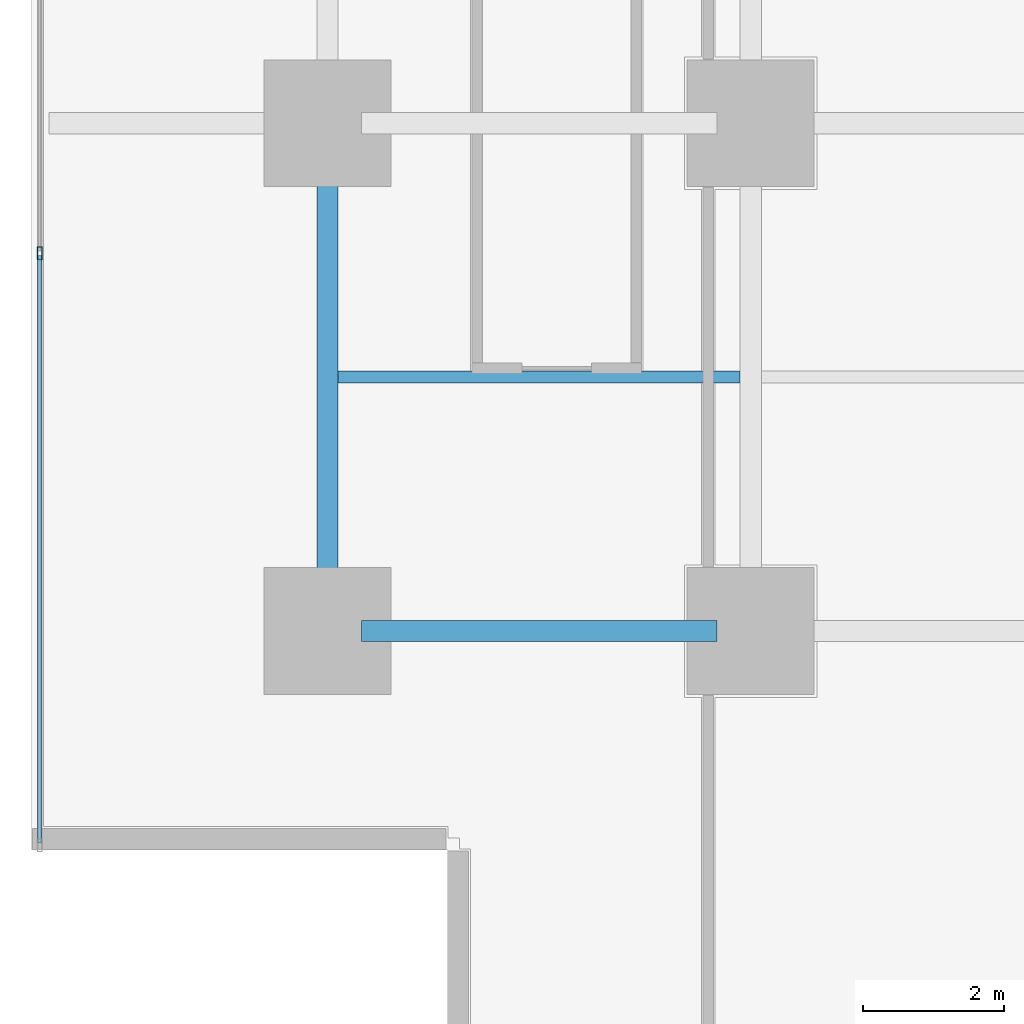
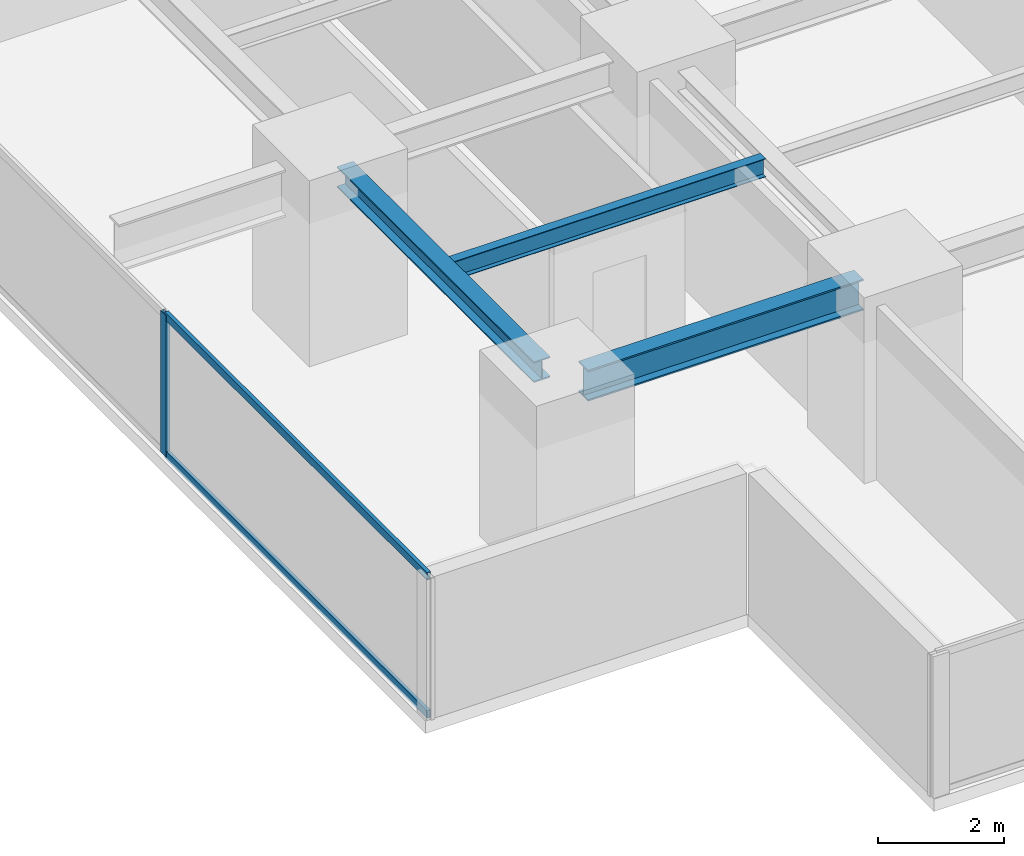
# One storey, part 3 of 32: 3 beams, 3 members, 1 element without a shape of its own.
"""IFC4 building model written with IfcOpenShell, lengths in metres."""

from ifc_helpers import new_model, si_unit, direction, frame, origin, origin_2d, place, context, subcontext, project, spatial, hollow_rectangle, i_section, extrude, source, transform, mapped, material, layer, layer_set, material_profile, profile_set, type_object, element, aggregate, save


model = new_model("IFC4")

# Units and contexts
model_context = context("Model", 3, precision=1e-05, world=origin(), true_north=direction((0.0, 1.0)))
body_context = subcontext(model_context, "Body", "Model", "MODEL_VIEW")
ifc_project = project(units=[si_unit("LENGTHUNIT", "METRE"), si_unit("AREAUNIT", "SQUARE_METRE"), si_unit("VOLUMEUNIT", "CUBIC_METRE"), si_unit("PLANEANGLEUNIT", "RADIAN"), si_unit("MASSUNIT", "GRAM", prefix="KILO")], contexts=[model_context])

# Site, building, storey
site_placement = place(None, origin())
site = spatial("IfcSite", under=ifc_project, at=site_placement, CompositionType="ELEMENT")
building_placement = place(site_placement, origin())
building = spatial("IfcBuilding", under=site, at=building_placement, Name="Sumidabori Civic Tower", CompositionType="ELEMENT")
storey_placement = place(building_placement, frame((0.0, 0.0, 52.39990234375)))
storey = spatial("IfcBuildingStorey", under=building, at=storey_placement, Name="L13", CompositionType="ELEMENT", Elevation=52.39990234375)

# Beams
ifc_material_1 = material(Name="Steel SN490", Category="steel")
ifc_material_profile_1 = material_profile(ifc_material_1, i_section(OverallWidth=0.300048828125, OverallDepth=0.60009765625, WebThickness=0.015380859375, FlangeThickness=0.030029296875, at=origin_2d()), Name="HE 600 B")
ifc_profile_set_1 = profile_set([ifc_material_profile_1], Name="Steel SN490")
beam_type_1 = type_object("IfcBeamType", Name="BM-GIRD-600", PredefinedType="BEAM", material=ifc_profile_set_1)
shared_shape_1 = source(origin(), body_context, "Body", "SweptSolid", [
    extrude(i_section(OverallWidth=0.300048828125, OverallDepth=0.60009765625, WebThickness=0.015380859375, FlangeThickness=0.030029296875, at=origin_2d()), origin(), (0.0, 0.0, 1.0), 5.0400390625),
])
beam_1_placement = place(storey_placement, frame((-22.320068359375, -18.0, 3.06005859375), z_axis=(1.0, 0.0, 0.0), x_axis=(0.0, 1.0, 0.0)))
element("IfcBeam", 1, at=beam_1_placement, inside=storey, type_object=beam_type_1, Name="Primary Girder L13 GX-01", PredefinedType="BEAM", context=body_context, shape_type="MappedRepresentation", body=[
    mapped(shared_shape_1, transform((0.0, 0.0, 0.0), x_axis=(1.0, 0.0, 0.0), y_axis=(0.0, 1.0, 0.0), z_axis=(0.0, 0.0, 1.0), scale=1.0)),
])
ifc_material_profile_2 = material_profile(ifc_material_1, i_section(OverallWidth=0.300048828125, OverallDepth=0.39990234375, WebThickness=0.013427734375, FlangeThickness=0.02392578125, at=origin_2d()), Name="HE 400 B")
ifc_profile_set_2 = profile_set([ifc_material_profile_2], Name="Steel SN490")
beam_type_2 = type_object("IfcBeamType", Name="BM-GIRD-400", PredefinedType="BEAM", material=ifc_profile_set_2)
shared_shape_2 = source(origin(), body_context, "Body", "SweptSolid", [
    extrude(i_section(OverallWidth=0.300048828125, OverallDepth=0.39990234375, WebThickness=0.013427734375, FlangeThickness=0.02392578125, at=origin_2d()), origin(), (0.0, 0.0, 1.0), 6.239990234375),
])
beam_2_placement = place(storey_placement, frame((-22.800048828125, -17.52001953125, 3.16015625), z_axis=(0.0, 1.0, 0.0), x_axis=(-1.0, 0.0, 0.0)))
element("IfcBeam", 2, at=beam_2_placement, inside=storey, type_object=beam_type_2, Name="Primary Girder L13 GY-21", PredefinedType="BEAM", context=body_context, shape_type="MappedRepresentation", body=[
    mapped(shared_shape_2, transform((0.0, 0.0, 0.0), x_axis=(1.0, 0.0, 0.0), y_axis=(0.0, 1.0, 0.0), z_axis=(0.0, 0.0, 1.0), scale=1.0)),
])
ifc_material_profile_3 = material_profile(ifc_material_1, i_section(OverallWidth=0.169921875, OverallDepth=0.360107421875, WebThickness=0.008056640625, FlangeThickness=0.0126953125, at=origin_2d()), Name="IPE 360")
ifc_profile_set_3 = profile_set([ifc_material_profile_3], Name="Steel SN490")
beam_type_3 = type_object("IfcBeamType", Name="BM-JST-360", PredefinedType="JOIST", material=ifc_profile_set_3)
shared_shape_3 = source(origin(), body_context, "Body", "SweptSolid", [
    extrude(i_section(OverallWidth=0.169921875, OverallDepth=0.360107421875, WebThickness=0.008056640625, FlangeThickness=0.0126953125, at=origin_2d()), origin(), (0.0, 0.0, 1.0), 5.699951171875),
])
beam_3_placement = place(storey_placement, frame((-22.64990234375, -14.39990234375, 3.18017578125), z_axis=(1.0, 0.0, 0.0), x_axis=(0.0, 1.0, 0.0)))
element("IfcBeam", 3, at=beam_3_placement, inside=storey, type_object=beam_type_3, Name="Outer Bay Floor Joist L13 JSTO-57", PredefinedType="JOIST", context=body_context, shape_type="MappedRepresentation", body=[
    mapped(shared_shape_3, transform((0.0, 0.0, 0.0), x_axis=(1.0, 0.0, 0.0), y_axis=(0.0, 1.0, 0.0), z_axis=(0.0, 0.0, 1.0), scale=1.0)),
])

# Curtain wall, members
ifc_material_2 = material(Name="Anodised Bronze Aluminium AW-6063-T6", Category="aluminium")
ifc_layer = layer(ifc_material_2, 0.179931640625, Name="Anodised Bronze Aluminium AW-6063-T6")
ifc_layer_set = layer_set([ifc_layer], Name="Anodised Bronze Aluminium AW-6063-T6")
curtain_wall_type = type_object("IfcCurtainWallType", Name="CW-SYS-2", PredefinedType="NOTDEFINED", material=ifc_layer_set)
curtain_wall_placement = place(storey_placement, origin())
curtain_wall = element("IfcCurtainWall", 4, at=curtain_wall_placement, inside=storey, type_object=curtain_wall_type, Name="Curtain Wall CW:L13:R10", PredefinedType="NOTDEFINED")
ifc_material_profile_4 = material_profile(ifc_material_2, hollow_rectangle(XDim=0.070068359375, YDim=0.179931640625, WallThickness=0.006103515625, at=origin_2d()), Name="ALU MULLION 180x70")
ifc_profile_set_4 = profile_set([ifc_material_profile_4], Name="Anodised Bronze Aluminium AW-6063-T6")
member_type_1 = type_object("IfcMemberType", Name="CW-MUL-180", PredefinedType="MULLION", material=ifc_profile_set_4)
shared_shape_4 = source(origin(), body_context, "Body", "SweptSolid", [
    extrude(hollow_rectangle(XDim=0.070068359375, YDim=0.179931640625, WallThickness=0.006103515625, at=origin_2d()), origin(), (0.0, 0.0, 1.0), 2.739990234375),
])
member_1_placement = place(storey_placement, frame((-26.8798828125, -12.64208984375, 0.0), z_axis=(0.0, 0.0, 1.0), x_axis=(1.0, 0.0, 0.0)))
member_1 = element("IfcMember", 5, at=member_1_placement, type_object=member_type_1, Name="CW-2 mullion 5", PredefinedType="MULLION", context=body_context, shape_type="MappedRepresentation", body=[
    mapped(shared_shape_4, transform((0.0, 0.0, 0.0), x_axis=(1.0, 0.0, 0.0), y_axis=(0.0, 1.0, 0.0), z_axis=(0.0, 0.0, 1.0), scale=1.0)),
])
ifc_material_profile_5 = material_profile(ifc_material_2, hollow_rectangle(XDim=0.06494140625, YDim=0.14990234375, WallThickness=0.0048828125, at=origin_2d()), Name="ALU TRANSOM 150x65")
ifc_profile_set_5 = profile_set([ifc_material_profile_5], Name="Anodised Bronze Aluminium AW-6063-T6")
member_type_2 = type_object("IfcMemberType", Name="CW-TRN-150", PredefinedType="USERDEFINED", material=ifc_profile_set_5)
shared_shape_5 = source(origin(), body_context, "Body", "SweptSolid", [
    extrude(hollow_rectangle(XDim=0.06494140625, YDim=0.14990234375, WallThickness=0.0048828125, at=origin_2d()), origin(), (0.0, 0.0, 1.0), 8.322998046875),
])
member_2_placement = place(storey_placement, frame((-26.8798828125, -12.677001953125, 0.03271484375), z_axis=(0.0, -1.0, 0.0), x_axis=(1.0, 0.0, 0.0)))
member_2 = element("IfcMember", 6, at=member_2_placement, type_object=member_type_2, Name="CW-2 transom 5.1", ObjectType="TRANSOM", PredefinedType="USERDEFINED", context=body_context, shape_type="MappedRepresentation", body=[
    mapped(shared_shape_5, transform((0.0, 0.0, 0.0), x_axis=(1.0, 0.0, 0.0), y_axis=(0.0, 1.0, 0.0), z_axis=(0.0, 0.0, 1.0), scale=1.0)),
])
member_3_placement = place(storey_placement, frame((-26.8798828125, -12.677001953125, 2.70751953125), z_axis=(0.0, -1.0, 0.0), x_axis=(1.0, 0.0, 0.0)))
member_3 = element("IfcMember", 7, at=member_3_placement, type_object=member_type_2, Name="CW-2 transom 5.2", ObjectType="TRANSOM", PredefinedType="USERDEFINED", context=body_context, shape_type="MappedRepresentation", body=[
    mapped(shared_shape_5, transform((0.0, 0.0, 0.0), x_axis=(1.0, 0.0, 0.0), y_axis=(0.0, 1.0, 0.0), z_axis=(0.0, 0.0, 1.0), scale=1.0)),
])
aggregate(curtain_wall, [member_1, member_2, member_3])

save(model, "model.ifc")
